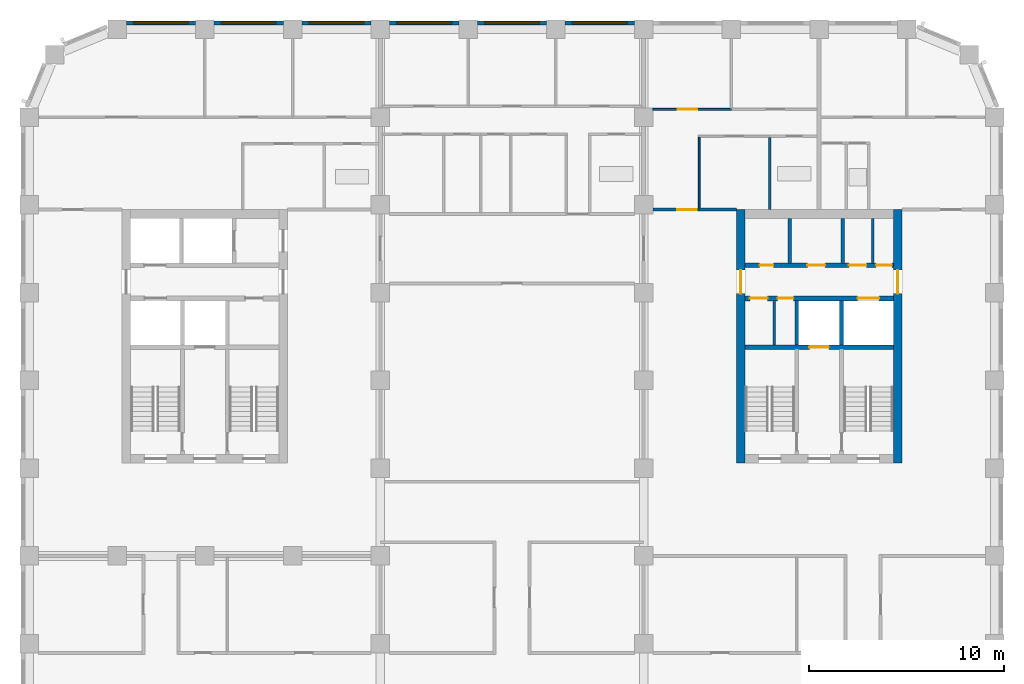
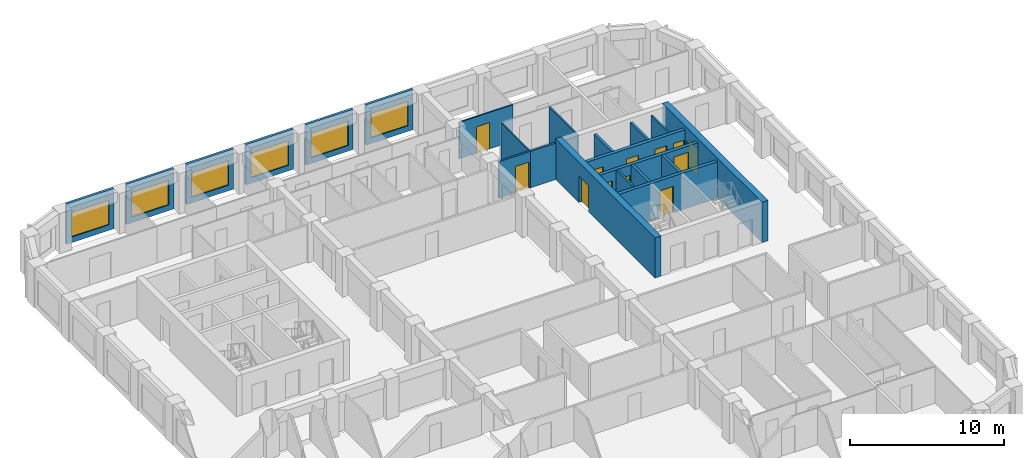
# One storey, part 8 of 13: 22 walls, 12 doors, 6 windows, 18 openings.
"""IFC4 building model written with IfcOpenShell, lengths in metres."""

from ifc_helpers import new_model, si_unit, direction, frame, frame_2d, origin, place, context, subcontext, project, spatial, rectangle, extrude, material, layer, layer_set, type_object, element, fill, save


model = new_model("IFC4")

# Units and contexts
model_context = context("Model", 3, precision=1e-05, world=origin(), true_north=direction((0.0, 1.0)))
body_context = subcontext(model_context, "Body", "Model", "MODEL_VIEW")
ifc_project = project(units=[si_unit("LENGTHUNIT", "METRE"), si_unit("AREAUNIT", "SQUARE_METRE"), si_unit("VOLUMEUNIT", "CUBIC_METRE"), si_unit("PLANEANGLEUNIT", "RADIAN"), si_unit("MASSUNIT", "GRAM", prefix="KILO")], contexts=[model_context])

# Site, building, storey
site_placement = place(None, origin())
site = spatial("IfcSite", under=ifc_project, at=site_placement, CompositionType="ELEMENT")
building_placement = place(site_placement, origin())
building = spatial("IfcBuilding", under=site, at=building_placement, Name="Girih Gate Residences", CompositionType="ELEMENT")
storey_placement = place(building_placement, frame((0.0, 0.0, 136.60009765625)))
storey = spatial("IfcBuildingStorey", under=building, at=storey_placement, Name="L38", CompositionType="ELEMENT", Elevation=136.60009765625)

# Wall, opening, door
ifc_material_1 = material(Name="Gypsum board on steel studs", Category="steel")
ifc_layer_1 = layer(ifc_material_1, 0.14990234375)
ifc_layer_set_1 = layer_set([ifc_layer_1], Name="Compartment wall 150 mm")
wall_type_1 = type_object("IfcWallType", Name="Compartment wall 150 mm", PredefinedType="PARTITIONING", material=ifc_layer_set_1)
wall_1_placement = place(storey_placement, frame((31.97509765625, 40.25, 0.0), z_axis=(0.0, 0.0, 1.0), x_axis=(1.0, 0.0, 0.0)))
wall_1 = element("IfcWall", 1, at=wall_1_placement, inside=storey, type_object=wall_type_1, Name="L38 partition", PredefinedType="PARTITIONING", context=body_context, shape_type="SweptSolid", body=[
    extrude(rectangle(XDim=2.375, YDim=0.14990234375, at=frame_2d((1.1875, 0.0))), origin(), (0.0, 0.0, 1.0), 2.89990234375),
])
opening_1_placement = place(wall_1_placement, frame((1.2451171875, 0.0, 0.0)))
opening_1 = element("IfcOpeningElement", 2, at=opening_1_placement, cuts=wall_1, Name="Opening A38-036", PredefinedType="OPENING", context=body_context, shape_type="SweptSolid", body=[
    extrude(rectangle(XDim=1.0, YDim=2.10009765625, at=frame_2d((0.5, 1.050048828125))), frame((0.0, 0.0849609375, 0.0), z_axis=(0.0, -1.0, 0.0), x_axis=(1.0, 0.0, 0.0)), (0.0, 0.0, 1.0), 0.169921875),
])
ifc_material_2 = material(Name="Timber, fire-rated core", Category="wood")
door_type_1 = type_object("IfcDoorType", Name="Flat entrance door 1000x2100 FD30S", OperationType="NOTDEFINED", PredefinedType="DOOR", material=ifc_material_2)
door_1_placement = place(opening_1_placement, origin())
door_1 = element("IfcDoor", 3, at=door_1_placement, inside=storey, type_object=door_type_1, Name="Door A38-036", OperationType="SINGLE_SWING_RIGHT", OverallHeight=2.10009765625, OverallWidth=1.0, PredefinedType="DOOR", context=body_context, shape_type="SweptSolid", body=[
    extrude(rectangle(XDim=1.0, YDim=2.10009765625, at=frame_2d((0.5, 1.050048828125))), frame((0.0, 0.02490234375, 0.0), z_axis=(0.0, -1.0, 0.0), x_axis=(1.0, 0.0, 0.0)), (0.0, 0.0, 1.0), 0.050048828125),
])
fill(opening_1, door_1)

# Wall
wall_2_placement = place(storey_placement, frame((34.35009765625, 40.25, 0.0), z_axis=(0.0, 0.0, 1.0), x_axis=(1.0, 0.0, 0.0)))
element("IfcWall", 4, at=wall_2_placement, inside=storey, type_object=wall_type_1, Name="L38 partition", PredefinedType="PARTITIONING", context=body_context, shape_type="SweptSolid", body=[
    extrude(rectangle(XDim=1.89990234375, YDim=0.14990234375, at=frame_2d((0.949951171875, 0.0))), origin(), (0.0, 0.0, 1.0), 2.89990234375),
])

# Wall, opening, door
ifc_material_3 = material(Name="Concrete C60/75", Category="concrete")
ifc_layer_2 = layer(ifc_material_3, 0.449951171875)
ifc_layer_set_2 = layer_set([ifc_layer_2], Name="Core wall RC 450 Concrete C60/75")
wall_type_2 = type_object("IfcWallType", Name="Core wall RC 450 Concrete C60/75", PredefinedType="SOLIDWALL", material=ifc_layer_set_2)
wall_3_placement = place(storey_placement, frame((36.47509765625, 27.25, 0.0), z_axis=(0.0, 0.0, 1.0), x_axis=(0.0, 1.0, 0.0)))
wall_3 = element("IfcWall", 5, at=wall_3_placement, inside=storey, type_object=wall_type_2, Name="Core wall E-W L38", PredefinedType="SOLIDWALL", context=body_context, shape_type="SweptSolid", body=[
    extrude(rectangle(XDim=13.0, YDim=0.449951171875, at=frame_2d((6.5, 0.0))), origin(), (0.0, 0.0, 1.0), 3.199951171875),
])
opening_2_placement = place(wall_3_placement, frame((8.699951171875, 0.0, 0.0)))
opening_2 = element("IfcOpeningElement", 6, at=opening_2_placement, cuts=wall_3, Name="Opening D-L38-E-014", PredefinedType="OPENING", context=body_context, shape_type="SweptSolid", body=[
    extrude(rectangle(XDim=1.199951171875, YDim=2.10009765625, at=frame_2d((0.60009765625, 1.050048828125))), frame((0.0, 0.23486328125, 0.0), z_axis=(0.0, -1.0, 0.0), x_axis=(1.0, 0.0, 0.0)), (0.0, 0.0, 1.0), 0.469970703125),
])
ifc_material_4 = material(Name="Painted steel, fire-resisting", Category="steel")
door_type_2 = type_object("IfcDoorType", Name="Fire door 1200x2100", OperationType="SINGLE_SWING_LEFT", PredefinedType="DOOR", material=ifc_material_4)
door_2_placement = place(opening_2_placement, origin())
door_2 = element("IfcDoor", 7, at=door_2_placement, inside=storey, type_object=door_type_2, Name="L38 E core door ll-w", OperationType="SINGLE_SWING_LEFT", OverallHeight=2.10009765625, OverallWidth=1.199951171875, PredefinedType="DOOR", context=body_context, shape_type="SweptSolid", body=[
    extrude(rectangle(XDim=1.199951171875, YDim=2.10009765625, at=frame_2d((0.60009765625, 1.050048828125))), frame((0.0, 0.02490234375, 0.0), z_axis=(0.0, -1.0, 0.0), x_axis=(1.0, 0.0, 0.0)), (0.0, 0.0, 1.0), 0.050048828125),
])
fill(opening_2, door_2)

wall_4_placement = place(storey_placement, frame((44.52490234375, 27.25, 0.0), z_axis=(0.0, 0.0, 1.0), x_axis=(0.0, 1.0, 0.0)))
wall_4 = element("IfcWall", 8, at=wall_4_placement, inside=storey, type_object=wall_type_2, Name="Core wall E-E L38", PredefinedType="SOLIDWALL", context=body_context, shape_type="SweptSolid", body=[
    extrude(rectangle(XDim=13.0, YDim=0.449951171875, at=frame_2d((6.5, 0.0))), origin(), (0.0, 0.0, 1.0), 3.199951171875),
])
opening_3_placement = place(wall_4_placement, frame((8.699951171875, 0.0, 0.0)))
opening_3 = element("IfcOpeningElement", 9, at=opening_3_placement, cuts=wall_4, Name="Opening D-L38-E-015", PredefinedType="OPENING", context=body_context, shape_type="SweptSolid", body=[
    extrude(rectangle(XDim=1.199951171875, YDim=2.10009765625, at=frame_2d((0.60009765625, 1.050048828125))), frame((0.0, 0.23486328125, 0.0), z_axis=(0.0, -1.0, 0.0), x_axis=(1.0, 0.0, 0.0)), (0.0, 0.0, 1.0), 0.469970703125),
])
door_3_placement = place(opening_3_placement, origin())
door_3 = element("IfcDoor", 10, at=door_3_placement, inside=storey, type_object=door_type_2, Name="L38 E core door ll-e", OperationType="SINGLE_SWING_LEFT", OverallHeight=2.10009765625, OverallWidth=1.199951171875, PredefinedType="DOOR", context=body_context, shape_type="SweptSolid", body=[
    extrude(rectangle(XDim=1.199951171875, YDim=2.10009765625, at=frame_2d((0.60009765625, 1.050048828125))), frame((0.0, 0.02490234375, 0.0), z_axis=(0.0, -1.0, 0.0), x_axis=(1.0, 0.0, 0.0)), (0.0, 0.0, 1.0), 0.050048828125),
])
fill(opening_3, door_3)

ifc_material_5 = material(Name="Concrete C40/50", Category="concrete")
ifc_layer_3 = layer(ifc_material_5, 0.25)
ifc_layer_set_3 = layer_set([ifc_layer_3], Name="Lift shaft wall 250")
wall_type_3 = type_object("IfcWallType", Name="Lift shaft wall 250", PredefinedType="SOLIDWALL", material=ifc_layer_set_3)
wall_5_placement = place(storey_placement, frame((36.699951171875, 33.199951171875, 0.0), z_axis=(0.0, 0.0, 1.0), x_axis=(1.0, 0.0, 0.0)))
wall_5 = element("IfcWall", 11, at=wall_5_placement, inside=storey, type_object=wall_type_3, Name="L38 E core wall H1", PredefinedType="SOLIDWALL", context=body_context, shape_type="SweptSolid", body=[
    extrude(rectangle(XDim=7.60009765625, YDim=0.25, at=frame_2d((3.800048828125, 0.0))), origin(), (0.0, 0.0, 1.0), 2.89990234375),
])
opening_4_placement = place(wall_5_placement, frame((3.300048828125, 0.0, 0.0)))
opening_4 = element("IfcOpeningElement", 12, at=opening_4_placement, cuts=wall_5, Name="Opening D-L38-E-004", PredefinedType="OPENING", context=body_context, shape_type="SweptSolid", body=[
    extrude(rectangle(XDim=1.0, YDim=2.10009765625, at=frame_2d((0.5, 1.050048828125))), frame((0.0, 0.135009765625, 0.0), z_axis=(0.0, -1.0, 0.0), x_axis=(1.0, 0.0, 0.0)), (0.0, 0.0, 1.0), 0.27001953125),
])
ifc_material_6 = material(Name="Stainless steel, fire-resisting", Category="steel")
door_type_3 = type_object("IfcDoorType", Name="Firefighting lift landing door 1000x2100", OperationType="SLIDING_TO_LEFT", PredefinedType="DOOR", material=ifc_material_6)
door_4_placement = place(opening_4_placement, origin())
door_4 = element("IfcDoor", 13, at=door_4_placement, inside=storey, type_object=door_type_3, Name="L38 lift FF-E landing door", OperationType="SLIDING_TO_LEFT", OverallHeight=2.10009765625, OverallWidth=1.0, PredefinedType="DOOR", context=body_context, shape_type="SweptSolid", body=[
    extrude(rectangle(XDim=1.0, YDim=2.10009765625, at=frame_2d((0.5, 1.050048828125))), frame((0.0, 0.02490234375, 0.0), z_axis=(0.0, -1.0, 0.0), x_axis=(1.0, 0.0, 0.0)), (0.0, 0.0, 1.0), 0.050048828125),
])
fill(opening_4, door_4)

# Wall, openings, doors
wall_6_placement = place(storey_placement, frame((36.699951171875, 35.699951171875, 0.0), z_axis=(0.0, 0.0, 1.0), x_axis=(1.0, 0.0, 0.0)))
wall_6 = element("IfcWall", 14, at=wall_6_placement, inside=storey, type_object=wall_type_3, Name="L38 E core wall H2", PredefinedType="SOLIDWALL", context=body_context, shape_type="SweptSolid", body=[
    extrude(rectangle(XDim=7.60009765625, YDim=0.25, at=frame_2d((3.800048828125, 0.0))), origin(), (0.0, 0.0, 1.0), 2.89990234375),
])
opening_5_placement = place(wall_6_placement, frame((5.77490234375, 0.0, 0.0)))
opening_5 = element("IfcOpeningElement", 15, at=opening_5_placement, cuts=wall_6, Name="Opening D-L38-E-003", PredefinedType="OPENING", context=body_context, shape_type="SweptSolid", body=[
    extrude(rectangle(XDim=1.10009765625, YDim=2.39990234375, at=frame_2d((0.550048828125, 1.199951171875))), frame((0.0, 0.135009765625, 0.0), z_axis=(0.0, -1.0, 0.0), x_axis=(1.0, 0.0, 0.0)), (0.0, 0.0, 1.0), 0.27001953125),
])
opening_6_placement = place(wall_6_placement, frame((1.675048828125, 0.0, 0.0)))
opening_6 = element("IfcOpeningElement", 16, at=opening_6_placement, cuts=wall_6, Name="Opening D-L38-E-006", PredefinedType="OPENING", context=body_context, shape_type="SweptSolid", body=[
    extrude(rectangle(XDim=0.800048828125, YDim=2.10009765625, at=frame_2d((0.39990234375, 1.050048828125))), frame((0.0, 0.135009765625, 0.0), z_axis=(0.0, -1.0, 0.0), x_axis=(1.0, 0.0, 0.0)), (0.0, 0.0, 1.0), 0.27001953125),
])
opening_7_placement = place(wall_6_placement, frame((0.25, 0.0, 0.0)))
opening_7 = element("IfcOpeningElement", 17, at=opening_7_placement, cuts=wall_6, Name="Opening D-L38-E-007", PredefinedType="OPENING", context=body_context, shape_type="SweptSolid", body=[
    extrude(rectangle(XDim=0.89990234375, YDim=2.10009765625, at=frame_2d((0.449951171875, 1.050048828125))), frame((0.0, 0.135009765625, 0.0), z_axis=(0.0, -1.0, 0.0), x_axis=(1.0, 0.0, 0.0)), (0.0, 0.0, 1.0), 0.27001953125),
])
door_type_4 = type_object("IfcDoorType", Name="Fire door 800x2100", OperationType="SINGLE_SWING_LEFT", PredefinedType="DOOR", material=ifc_material_4)
door_5_placement = place(opening_6_placement, origin())
door_5 = element("IfcDoor", 18, at=door_5_placement, inside=storey, type_object=door_type_4, Name="L38 E electrical room door", OperationType="SINGLE_SWING_LEFT", OverallHeight=2.10009765625, OverallWidth=0.800048828125, PredefinedType="DOOR", context=body_context, shape_type="SweptSolid", body=[
    extrude(rectangle(XDim=0.800048828125, YDim=2.10009765625, at=frame_2d((0.39990234375, 1.050048828125))), frame((0.0, 0.02490234375, 0.0), z_axis=(0.0, -1.0, 0.0), x_axis=(1.0, 0.0, 0.0)), (0.0, 0.0, 1.0), 0.050048828125),
])
fill(opening_6, door_5)
door_type_5 = type_object("IfcDoorType", Name="Fire door 900x2100", OperationType="SINGLE_SWING_LEFT", PredefinedType="DOOR", material=ifc_material_4)
door_6_placement = place(opening_7_placement, origin())
door_6 = element("IfcDoor", 19, at=door_6_placement, inside=storey, type_object=door_type_5, Name="L38 E pantry door", OperationType="SINGLE_SWING_LEFT", OverallHeight=2.10009765625, OverallWidth=0.89990234375, PredefinedType="DOOR", context=body_context, shape_type="SweptSolid", body=[
    extrude(rectangle(XDim=0.89990234375, YDim=2.10009765625, at=frame_2d((0.449951171875, 1.050048828125))), frame((0.0, 0.02490234375, 0.0), z_axis=(0.0, -1.0, 0.0), x_axis=(1.0, 0.0, 0.0)), (0.0, 0.0, 1.0), 0.050048828125),
])
fill(opening_7, door_6)
ifc_material_7 = material(Name="Stainless steel", Category="steel")
door_type_6 = type_object("IfcDoorType", Name="Lift landing door 1100x2400", OperationType="SLIDING_TO_LEFT", PredefinedType="DOOR", material=ifc_material_7)
door_7_placement = place(opening_5_placement, origin())
door_7 = element("IfcDoor", 20, at=door_7_placement, inside=storey, type_object=door_type_6, Name="L38 lift HR-E1 landing door", OperationType="SLIDING_TO_LEFT", OverallHeight=2.39990234375, OverallWidth=1.10009765625, PredefinedType="DOOR", context=body_context, shape_type="SweptSolid", body=[
    extrude(rectangle(XDim=1.10009765625, YDim=2.39990234375, at=frame_2d((0.550048828125, 1.199951171875))), frame((0.0, 0.02490234375, 0.0), z_axis=(0.0, -1.0, 0.0), x_axis=(1.0, 0.0, 0.0)), (0.0, 0.0, 1.0), 0.050048828125),
])
fill(opening_5, door_7)

wall_7_placement = place(storey_placement, frame((36.699951171875, 37.39990234375, 0.0), z_axis=(0.0, 0.0, 1.0), x_axis=(1.0, 0.0, 0.0)))
wall_7 = element("IfcWall", 21, at=wall_7_placement, inside=storey, type_object=wall_type_3, Name="L38 E core wall H3", PredefinedType="SOLIDWALL", context=body_context, shape_type="SweptSolid", body=[
    extrude(rectangle(XDim=7.60009765625, YDim=0.25, at=frame_2d((3.800048828125, 0.0))), origin(), (0.0, 0.0, 1.0), 2.89990234375),
])
opening_8_placement = place(wall_7_placement, frame((0.75, 0.0, 0.0)))
opening_8 = element("IfcOpeningElement", 22, at=opening_8_placement, cuts=wall_7, Name="Opening D-L38-E-005", PredefinedType="OPENING", context=body_context, shape_type="SweptSolid", body=[
    extrude(rectangle(XDim=0.699951171875, YDim=2.10009765625, at=frame_2d((0.35009765625, 1.050048828125))), frame((0.0, 0.135009765625, 0.0), z_axis=(0.0, -1.0, 0.0), x_axis=(1.0, 0.0, 0.0)), (0.0, 0.0, 1.0), 0.27001953125),
])
opening_9_placement = place(wall_7_placement, frame((6.72509765625, 0.0, 0.0)))
opening_9 = element("IfcOpeningElement", 23, at=opening_9_placement, cuts=wall_7, Name="Opening D-L38-E-008", PredefinedType="OPENING", context=body_context, shape_type="SweptSolid", body=[
    extrude(rectangle(XDim=0.800048828125, YDim=2.10009765625, at=frame_2d((0.39990234375, 1.050048828125))), frame((0.0, 0.135009765625, 0.0), z_axis=(0.0, -1.0, 0.0), x_axis=(1.0, 0.0, 0.0)), (0.0, 0.0, 1.0), 0.27001953125),
])
opening_10_placement = place(wall_7_placement, frame((5.324951171875, 0.0, 0.0)))
opening_10 = element("IfcOpeningElement", 24, at=opening_10_placement, cuts=wall_7, Name="Opening D-L38-E-009", PredefinedType="OPENING", context=body_context, shape_type="SweptSolid", body=[
    extrude(rectangle(XDim=0.89990234375, YDim=2.10009765625, at=frame_2d((0.449951171875, 1.050048828125))), frame((0.0, 0.135009765625, 0.0), z_axis=(0.0, -1.0, 0.0), x_axis=(1.0, 0.0, 0.0)), (0.0, 0.0, 1.0), 0.27001953125),
])
opening_11_placement = place(wall_7_placement, frame((3.199951171875, 0.0, 0.0)))
opening_11 = element("IfcOpeningElement", 25, at=opening_11_placement, cuts=wall_7, Name="Opening D-L38-E-010", PredefinedType="OPENING", context=body_context, shape_type="SweptSolid", body=[
    extrude(rectangle(XDim=0.89990234375, YDim=2.10009765625, at=frame_2d((0.449951171875, 1.050048828125))), frame((0.0, 0.135009765625, 0.0), z_axis=(0.0, -1.0, 0.0), x_axis=(1.0, 0.0, 0.0)), (0.0, 0.0, 1.0), 0.27001953125),
])
door_8_placement = place(opening_9_placement, origin())
door_8 = element("IfcDoor", 26, at=door_8_placement, inside=storey, type_object=door_type_4, Name="L38 E store door", OperationType="SINGLE_SWING_LEFT", OverallHeight=2.10009765625, OverallWidth=0.800048828125, PredefinedType="DOOR", context=body_context, shape_type="SweptSolid", body=[
    extrude(rectangle(XDim=0.800048828125, YDim=2.10009765625, at=frame_2d((0.39990234375, 1.050048828125))), frame((0.0, 0.02490234375, 0.0), z_axis=(0.0, -1.0, 0.0), x_axis=(1.0, 0.0, 0.0)), (0.0, 0.0, 1.0), 0.050048828125),
])
fill(opening_9, door_8)
door_9_placement = place(opening_10_placement, origin())
door_9 = element("IfcDoor", 27, at=door_9_placement, inside=storey, type_object=door_type_5, Name="L38 E comms room door", OperationType="SINGLE_SWING_LEFT", OverallHeight=2.10009765625, OverallWidth=0.89990234375, PredefinedType="DOOR", context=body_context, shape_type="SweptSolid", body=[
    extrude(rectangle(XDim=0.89990234375, YDim=2.10009765625, at=frame_2d((0.449951171875, 1.050048828125))), frame((0.0, 0.02490234375, 0.0), z_axis=(0.0, -1.0, 0.0), x_axis=(1.0, 0.0, 0.0)), (0.0, 0.0, 1.0), 0.050048828125),
])
fill(opening_10, door_9)
door_10_placement = place(opening_11_placement, origin())
door_10 = element("IfcDoor", 28, at=door_10_placement, inside=storey, type_object=door_type_5, Name="L38 E refuse store door", OperationType="SINGLE_SWING_LEFT", OverallHeight=2.10009765625, OverallWidth=0.89990234375, PredefinedType="DOOR", context=body_context, shape_type="SweptSolid", body=[
    extrude(rectangle(XDim=0.89990234375, YDim=2.10009765625, at=frame_2d((0.449951171875, 1.050048828125))), frame((0.0, 0.02490234375, 0.0), z_axis=(0.0, -1.0, 0.0), x_axis=(1.0, 0.0, 0.0)), (0.0, 0.0, 1.0), 0.050048828125),
])
fill(opening_11, door_10)
door_type_7 = type_object("IfcDoorType", Name="Riser access door 700x2100", OperationType="SINGLE_SWING_LEFT", PredefinedType="DOOR", material=ifc_material_4)
door_11_placement = place(opening_8_placement, origin())
door_11 = element("IfcDoor", 29, at=door_11_placement, inside=storey, type_object=door_type_7, Name="L38 E riser room door", OperationType="SINGLE_SWING_LEFT", OverallHeight=2.10009765625, OverallWidth=0.699951171875, PredefinedType="DOOR", context=body_context, shape_type="SweptSolid", body=[
    extrude(rectangle(XDim=0.699951171875, YDim=2.10009765625, at=frame_2d((0.35009765625, 1.050048828125))), frame((0.0, 0.02490234375, 0.0), z_axis=(0.0, -1.0, 0.0), x_axis=(1.0, 0.0, 0.0)), (0.0, 0.0, 1.0), 0.050048828125),
])
fill(opening_8, door_11)

# Wall
ifc_layer_4 = layer(ifc_material_1, 0.10009765625)
ifc_layer_set_4 = layer_set([ifc_layer_4], Name="Partition 100 mm")
wall_type_4 = type_object("IfcWallType", Name="Partition 100 mm", PredefinedType="PARTITIONING", material=ifc_layer_set_4)
wall_8_placement = place(storey_placement, frame((34.35009765625, 40.324951171875, 0.0), z_axis=(0.0, 0.0, 1.0), x_axis=(0.0, 1.0, 0.0)))
element("IfcWall", 30, at=wall_8_placement, inside=storey, type_object=wall_type_4, Name="L38 partition", PredefinedType="PARTITIONING", context=body_context, shape_type="SweptSolid", body=[
    extrude(rectangle(XDim=3.64013671875, YDim=0.10009765625, at=frame_2d((1.820068359375, 0.0))), origin(), (0.0, 0.0, 1.0), 2.89990234375),
])

# Wall, opening, door
wall_9_placement = place(storey_placement, frame((31.97509765625, 45.39501953125, 0.0), z_axis=(0.0, 0.0, 1.0), x_axis=(1.0, 0.0, 0.0)))
wall_9 = element("IfcWall", 31, at=wall_9_placement, inside=storey, type_object=wall_type_4, Name="L38 partition", PredefinedType="PARTITIONING", context=body_context, shape_type="SweptSolid", body=[
    extrude(rectangle(XDim=4.02490234375, YDim=0.10009765625, at=frame_2d((2.012451171875, 0.0))), origin(), (0.0, 0.0, 1.0), 2.89990234375),
])
opening_12_placement = place(wall_9_placement, frame((1.27490234375, 0.0, 0.0)))
opening_12 = element("IfcOpeningElement", 32, at=opening_12_placement, cuts=wall_9, Name="Opening A38-035", PredefinedType="OPENING", context=body_context, shape_type="SweptSolid", body=[
    extrude(rectangle(XDim=1.0, YDim=2.10009765625, at=frame_2d((0.5, 1.050048828125))), frame((0.0, 0.06005859375, 0.0), z_axis=(0.0, -1.0, 0.0), x_axis=(1.0, 0.0, 0.0)), (0.0, 0.0, 1.0), 0.1201171875),
])
ifc_material_8 = material(Name="Timber", Category="wood")
door_type_8 = type_object("IfcDoorType", Name="Living room door 1000x2100", OperationType="NOTDEFINED", PredefinedType="DOOR", material=ifc_material_8)
door_12_placement = place(opening_12_placement, origin())
door_12 = element("IfcDoor", 33, at=door_12_placement, inside=storey, type_object=door_type_8, Name="Door A38-035", OperationType="SINGLE_SWING_LEFT", OverallHeight=2.10009765625, OverallWidth=1.0, PredefinedType="DOOR", context=body_context, shape_type="SweptSolid", body=[
    extrude(rectangle(XDim=1.0, YDim=2.10009765625, at=frame_2d((0.5, 1.050048828125))), frame((0.0, 0.02490234375, 0.0), z_axis=(0.0, -1.0, 0.0), x_axis=(1.0, 0.0, 0.0)), (0.0, 0.0, 1.0), 0.050048828125),
])
fill(opening_12, door_12)

# Wall, opening, window
ifc_material_9 = material(Name="Precast concrete C50/60", Category="concrete")
ifc_layer_5 = layer(ifc_material_9, 0.06005859375, Name="Outer leaf")
ifc_material_10 = material(Name="Rigid PIR insulation")
ifc_layer_6 = layer(ifc_material_10, 0.090087890625, Name="Insulation")
ifc_material_11 = material(Name="Precast concrete C40/50", Category="concrete")
ifc_layer_7 = layer(ifc_material_11, 0.050048828125, Name="Inner leaf")
ifc_layer_set_5 = layer_set([ifc_layer_5, ifc_layer_6, ifc_layer_7], Name="Precast concrete C50/60 external wall 200")
wall_type_5 = type_object("IfcWallType", Name="Precast concrete C50/60 external wall 200", PredefinedType="SOLIDWALL", material=ifc_layer_set_5)
wall_10_placement = place(storey_placement, frame((27.47509765625, 49.824951171875, 0.0), z_axis=(0.0, 0.0, 1.0), x_axis=(1.0, 0.0, 0.0)))
wall_10 = element("IfcWall", 34, at=wall_10_placement, inside=storey, type_object=wall_type_5, Name="External wall N0450_0495.3", PredefinedType="SOLIDWALL", context=body_context, shape_type="SweptSolid", body=[
    extrude(rectangle(XDim=3.5498046875, YDim=0.199951171875, at=frame_2d((1.77490234375, 0.0))), origin(), (0.0, 0.0, 1.0), 3.199951171875),
])
opening_13_placement = place(wall_10_placement, frame((0.375, 0.0, 0.449951171875)))
opening_13 = element("IfcOpeningElement", 35, at=opening_13_placement, cuts=wall_10, Name="Opening W-1B", PredefinedType="OPENING", context=body_context, shape_type="SweptSolid", body=[
    extrude(rectangle(XDim=2.800048828125, YDim=1.949951171875, at=frame_2d((1.39990234375, 0.97509765625))), frame((0.0, 0.10986328125, 0.0), z_axis=(0.0, -1.0, 0.0), x_axis=(1.0, 0.0, 0.0)), (0.0, 0.0, 1.0), 0.219970703125),
])
ifc_material_12 = material(Name="Double glazing in aluminium frame", Category="aluminium")
window_type = type_object("IfcWindowType", Name="Window W-1B 2800x1950", PartitioningType="SINGLE_PANEL", PredefinedType="WINDOW", material=ifc_material_12)
window_1_placement = place(opening_13_placement, origin())
window_1 = element("IfcWindow", 36, at=window_1_placement, inside=storey, type_object=window_type, Name="Window W-1B N0450_0495.3", OverallHeight=1.949951171875, OverallWidth=2.800048828125, PartitioningType="SINGLE_PANEL", PredefinedType="WINDOW", context=body_context, shape_type="SweptSolid", body=[
    extrude(rectangle(XDim=2.800048828125, YDim=1.949951171875, at=frame_2d((1.39990234375, 0.97509765625))), frame((0.0, 0.030029296875, 0.0), z_axis=(0.0, -1.0, 0.0), x_axis=(1.0, 0.0, 0.0)), (0.0, 0.0, 1.0), 0.06005859375),
])
fill(opening_13, window_1)

wall_11_placement = place(storey_placement, frame((22.97509765625, 49.824951171875, 0.0), z_axis=(0.0, 0.0, 1.0), x_axis=(1.0, 0.0, 0.0)))
wall_11 = element("IfcWall", 37, at=wall_11_placement, inside=storey, type_object=wall_type_5, Name="External wall N0450_0495.4", PredefinedType="SOLIDWALL", context=body_context, shape_type="SweptSolid", body=[
    extrude(rectangle(XDim=3.5498046875, YDim=0.199951171875, at=frame_2d((1.77490234375, 0.0))), origin(), (0.0, 0.0, 1.0), 3.199951171875),
])
opening_14_placement = place(wall_11_placement, frame((0.375, 0.0, 0.449951171875)))
opening_14 = element("IfcOpeningElement", 38, at=opening_14_placement, cuts=wall_11, Name="Opening W-1B", PredefinedType="OPENING", context=body_context, shape_type="SweptSolid", body=[
    extrude(rectangle(XDim=2.800048828125, YDim=1.949951171875, at=frame_2d((1.39990234375, 0.97509765625))), frame((0.0, 0.10986328125, 0.0), z_axis=(0.0, -1.0, 0.0), x_axis=(1.0, 0.0, 0.0)), (0.0, 0.0, 1.0), 0.219970703125),
])
window_2_placement = place(opening_14_placement, origin())
window_2 = element("IfcWindow", 39, at=window_2_placement, inside=storey, type_object=window_type, Name="Window W-1B N0450_0495.4", OverallHeight=1.949951171875, OverallWidth=2.800048828125, PartitioningType="SINGLE_PANEL", PredefinedType="WINDOW", context=body_context, shape_type="SweptSolid", body=[
    extrude(rectangle(XDim=2.800048828125, YDim=1.949951171875, at=frame_2d((1.39990234375, 0.97509765625))), frame((0.0, 0.030029296875, 0.0), z_axis=(0.0, -1.0, 0.0), x_axis=(1.0, 0.0, 0.0)), (0.0, 0.0, 1.0), 0.06005859375),
])
fill(opening_14, window_2)

wall_12_placement = place(storey_placement, frame((18.47509765625, 49.824951171875, 0.0), z_axis=(0.0, 0.0, 1.0), x_axis=(1.0, 0.0, 0.0)))
wall_12 = element("IfcWall", 40, at=wall_12_placement, inside=storey, type_object=wall_type_5, Name="External wall N0450_0495.5", PredefinedType="SOLIDWALL", context=body_context, shape_type="SweptSolid", body=[
    extrude(rectangle(XDim=3.5498046875, YDim=0.199951171875, at=frame_2d((1.77490234375, 0.0))), origin(), (0.0, 0.0, 1.0), 3.199951171875),
])
opening_15_placement = place(wall_12_placement, frame((0.375, 0.0, 0.449951171875)))
opening_15 = element("IfcOpeningElement", 41, at=opening_15_placement, cuts=wall_12, Name="Opening W-1B", PredefinedType="OPENING", context=body_context, shape_type="SweptSolid", body=[
    extrude(rectangle(XDim=2.800048828125, YDim=1.949951171875, at=frame_2d((1.39990234375, 0.97509765625))), frame((0.0, 0.10986328125, 0.0), z_axis=(0.0, -1.0, 0.0), x_axis=(1.0, 0.0, 0.0)), (0.0, 0.0, 1.0), 0.219970703125),
])
window_3_placement = place(opening_15_placement, origin())
window_3 = element("IfcWindow", 42, at=window_3_placement, inside=storey, type_object=window_type, Name="Window W-1B N0450_0495.5", OverallHeight=1.949951171875, OverallWidth=2.800048828125, PartitioningType="SINGLE_PANEL", PredefinedType="WINDOW", context=body_context, shape_type="SweptSolid", body=[
    extrude(rectangle(XDim=2.800048828125, YDim=1.949951171875, at=frame_2d((1.39990234375, 0.97509765625))), frame((0.0, 0.030029296875, 0.0), z_axis=(0.0, -1.0, 0.0), x_axis=(1.0, 0.0, 0.0)), (0.0, 0.0, 1.0), 0.06005859375),
])
fill(opening_15, window_3)

wall_13_placement = place(storey_placement, frame((13.97509765625, 49.824951171875, 0.0), z_axis=(0.0, 0.0, 1.0), x_axis=(1.0, 0.0, 0.0)))
wall_13 = element("IfcWall", 43, at=wall_13_placement, inside=storey, type_object=wall_type_5, Name="External wall N0450_0495.6", PredefinedType="SOLIDWALL", context=body_context, shape_type="SweptSolid", body=[
    extrude(rectangle(XDim=3.5498046875, YDim=0.199951171875, at=frame_2d((1.77490234375, 0.0))), origin(), (0.0, 0.0, 1.0), 3.199951171875),
])
opening_16_placement = place(wall_13_placement, frame((0.375, 0.0, 0.449951171875)))
opening_16 = element("IfcOpeningElement", 44, at=opening_16_placement, cuts=wall_13, Name="Opening W-1B", PredefinedType="OPENING", context=body_context, shape_type="SweptSolid", body=[
    extrude(rectangle(XDim=2.800048828125, YDim=1.949951171875, at=frame_2d((1.39990234375, 0.97509765625))), frame((0.0, 0.10986328125, 0.0), z_axis=(0.0, -1.0, 0.0), x_axis=(1.0, 0.0, 0.0)), (0.0, 0.0, 1.0), 0.219970703125),
])
window_4_placement = place(opening_16_placement, origin())
window_4 = element("IfcWindow", 45, at=window_4_placement, inside=storey, type_object=window_type, Name="Window W-1B N0450_0495.6", OverallHeight=1.949951171875, OverallWidth=2.800048828125, PartitioningType="SINGLE_PANEL", PredefinedType="WINDOW", context=body_context, shape_type="SweptSolid", body=[
    extrude(rectangle(XDim=2.800048828125, YDim=1.949951171875, at=frame_2d((1.39990234375, 0.97509765625))), frame((0.0, 0.030029296875, 0.0), z_axis=(0.0, -1.0, 0.0), x_axis=(1.0, 0.0, 0.0)), (0.0, 0.0, 1.0), 0.06005859375),
])
fill(opening_16, window_4)

wall_14_placement = place(storey_placement, frame((9.47509765625, 49.824951171875, 0.0), z_axis=(0.0, 0.0, 1.0), x_axis=(1.0, 0.0, 0.0)))
wall_14 = element("IfcWall", 46, at=wall_14_placement, inside=storey, type_object=wall_type_5, Name="External wall N0450_0495.7", PredefinedType="SOLIDWALL", context=body_context, shape_type="SweptSolid", body=[
    extrude(rectangle(XDim=3.5498046875, YDim=0.199951171875, at=frame_2d((1.77490234375, 0.0))), origin(), (0.0, 0.0, 1.0), 3.199951171875),
])
opening_17_placement = place(wall_14_placement, frame((0.375, 0.0, 0.449951171875)))
opening_17 = element("IfcOpeningElement", 47, at=opening_17_placement, cuts=wall_14, Name="Opening W-1B", PredefinedType="OPENING", context=body_context, shape_type="SweptSolid", body=[
    extrude(rectangle(XDim=2.800048828125, YDim=1.949951171875, at=frame_2d((1.39990234375, 0.97509765625))), frame((0.0, 0.10986328125, 0.0), z_axis=(0.0, -1.0, 0.0), x_axis=(1.0, 0.0, 0.0)), (0.0, 0.0, 1.0), 0.219970703125),
])
window_5_placement = place(opening_17_placement, origin())
window_5 = element("IfcWindow", 48, at=window_5_placement, inside=storey, type_object=window_type, Name="Window W-1B N0450_0495.7", OverallHeight=1.949951171875, OverallWidth=2.800048828125, PartitioningType="SINGLE_PANEL", PredefinedType="WINDOW", context=body_context, shape_type="SweptSolid", body=[
    extrude(rectangle(XDim=2.800048828125, YDim=1.949951171875, at=frame_2d((1.39990234375, 0.97509765625))), frame((0.0, 0.030029296875, 0.0), z_axis=(0.0, -1.0, 0.0), x_axis=(1.0, 0.0, 0.0)), (0.0, 0.0, 1.0), 0.06005859375),
])
fill(opening_17, window_5)

wall_15_placement = place(storey_placement, frame((4.97509765625, 49.824951171875, 0.0), z_axis=(0.0, 0.0, 1.0), x_axis=(1.0, 0.0, 0.0)))
wall_15 = element("IfcWall", 49, at=wall_15_placement, inside=storey, type_object=wall_type_5, Name="External wall N0450_0495.8", PredefinedType="SOLIDWALL", context=body_context, shape_type="SweptSolid", body=[
    extrude(rectangle(XDim=3.5498046875, YDim=0.199951171875, at=frame_2d((1.77490234375, 0.0))), origin(), (0.0, 0.0, 1.0), 3.199951171875),
])
opening_18_placement = place(wall_15_placement, frame((0.375, 0.0, 0.449951171875)))
opening_18 = element("IfcOpeningElement", 50, at=opening_18_placement, cuts=wall_15, Name="Opening W-1B", PredefinedType="OPENING", context=body_context, shape_type="SweptSolid", body=[
    extrude(rectangle(XDim=2.800048828125, YDim=1.949951171875, at=frame_2d((1.39990234375, 0.97509765625))), frame((0.0, 0.10986328125, 0.0), z_axis=(0.0, -1.0, 0.0), x_axis=(1.0, 0.0, 0.0)), (0.0, 0.0, 1.0), 0.219970703125),
])
window_6_placement = place(opening_18_placement, origin())
window_6 = element("IfcWindow", 51, at=window_6_placement, inside=storey, type_object=window_type, Name="Window W-1B N0450_0495.8", OverallHeight=1.949951171875, OverallWidth=2.800048828125, PartitioningType="SINGLE_PANEL", PredefinedType="WINDOW", context=body_context, shape_type="SweptSolid", body=[
    extrude(rectangle(XDim=2.800048828125, YDim=1.949951171875, at=frame_2d((1.39990234375, 0.97509765625))), frame((0.0, 0.030029296875, 0.0), z_axis=(0.0, -1.0, 0.0), x_axis=(1.0, 0.0, 0.0)), (0.0, 0.0, 1.0), 0.06005859375),
])
fill(opening_18, window_6)

# Walls
ifc_layer_8 = layer(ifc_material_5, 0.175048828125)
ifc_layer_set_6 = layer_set([ifc_layer_8], Name="Riser shaft wall 175")
wall_type_6 = type_object("IfcWallType", Name="Riser shaft wall 175", PredefinedType="SOLIDWALL", material=ifc_layer_set_6)
for number, where, z_axis, x_axis, name in (
    (52, (41.699951171875, 37.5, 0.0), (0.0, 0.0, 1.0), (0.0, 1.0, 0.0), "L38 E core wall V1c"),
    (53, (39.0, 37.5, 0.0), (0.0, 0.0, 1.0), (0.0, 1.0, 0.0), "L38 E core wall V2c"),
):
    element("IfcWall", number, at=place(storey_placement, frame(where, z_axis=z_axis, x_axis=x_axis)), inside=storey, type_object=wall_type_6, Name=name, PredefinedType="SOLIDWALL", context=body_context, shape_type="SweptSolid", body=[
        extrude(rectangle(XDim=2.300048828125, YDim=0.175048828125, at=frame_2d((1.14990234375, 0.0))), origin(), (0.0, 0.0, 1.0), 2.89990234375),
    ])
ifc_layer_9 = layer(ifc_material_5, 0.199951171875)
ifc_layer_set_7 = layer_set([ifc_layer_9], Name="Shaft wall 200")
wall_type_7 = type_object("IfcWallType", Name="Shaft wall 200", PredefinedType="SOLIDWALL", material=ifc_layer_set_7)
for number, where, z_axis, x_axis, name in (
    (54, (41.64990234375, 33.300048828125, 0.0), (0.0, 0.0, 1.0), (0.0, 1.0, 0.0), "L38 E core wall V1b"),
    (55, (39.35009765625, 33.300048828125, 0.0), (0.0, 0.0, 1.0), (0.0, 1.0, 0.0), "L38 E core wall V2b"),
):
    element("IfcWall", number, at=place(storey_placement, frame(where, z_axis=z_axis, x_axis=x_axis)), inside=storey, type_object=wall_type_7, Name=name, PredefinedType="SOLIDWALL", context=body_context, shape_type="SweptSolid", body=[
        extrude(rectangle(XDim=2.300048828125, YDim=0.199951171875, at=frame_2d((1.14990234375, 0.0))), origin(), (0.0, 0.0, 1.0), 2.89990234375),
    ])
ifc_material_13 = material(Name="Calcium silicate blockwork", Category="masonry")
ifc_layer_10 = layer(ifc_material_13, 0.125)
ifc_layer_set_8 = layer_set([ifc_layer_10], Name="Store partition 125")
wall_type_8 = type_object("IfcWallType", Name="Store partition 125", PredefinedType="PARTITIONING", material=ifc_layer_set_8)
for number, where, z_axis, x_axis, name in (
    (56, (38.199951171875, 33.300048828125, 0.0), (0.0, 0.0, 1.0), (0.0, 1.0, 0.0), "L38 E core wall SHR2"),
    (57, (43.25, 37.5, 0.0), (0.0, 0.0, 1.0), (0.0, 1.0, 0.0), "L38 E core wall SLR1"),
):
    element("IfcWall", number, at=place(storey_placement, frame(where, z_axis=z_axis, x_axis=x_axis)), inside=storey, type_object=wall_type_8, Name=name, PredefinedType="PARTITIONING", context=body_context, shape_type="SweptSolid", body=[
        extrude(rectangle(XDim=2.300048828125, YDim=0.125, at=frame_2d((1.14990234375, 0.0))), origin(), (0.0, 0.0, 1.0), 2.89990234375),
    ])
ifc_layer_11 = layer(ifc_material_1, 0.125)
ifc_layer_set_9 = layer_set([ifc_layer_11], Name="Wet room wall 125 mm")
wall_type_9 = type_object("IfcWallType", Name="Wet room wall 125 mm", PredefinedType="PARTITIONING", material=ifc_layer_set_9)
wall_16_placement = place(storey_placement, frame((37.972900390625, 40.25, 0.0), z_axis=(0.0, 0.0, 1.0), x_axis=(0.0, 1.0, 0.0)))
element("IfcWall", 58, at=wall_16_placement, inside=storey, type_object=wall_type_9, Name="L38 partition", PredefinedType="PARTITIONING", context=body_context, shape_type="SweptSolid", body=[
    extrude(rectangle(XDim=3.702392578125, YDim=0.125, at=frame_2d((1.85107421875, 0.0))), origin(), (0.0, 0.0, 1.0), 2.89990234375),
])

save(model, "model.ifc")
